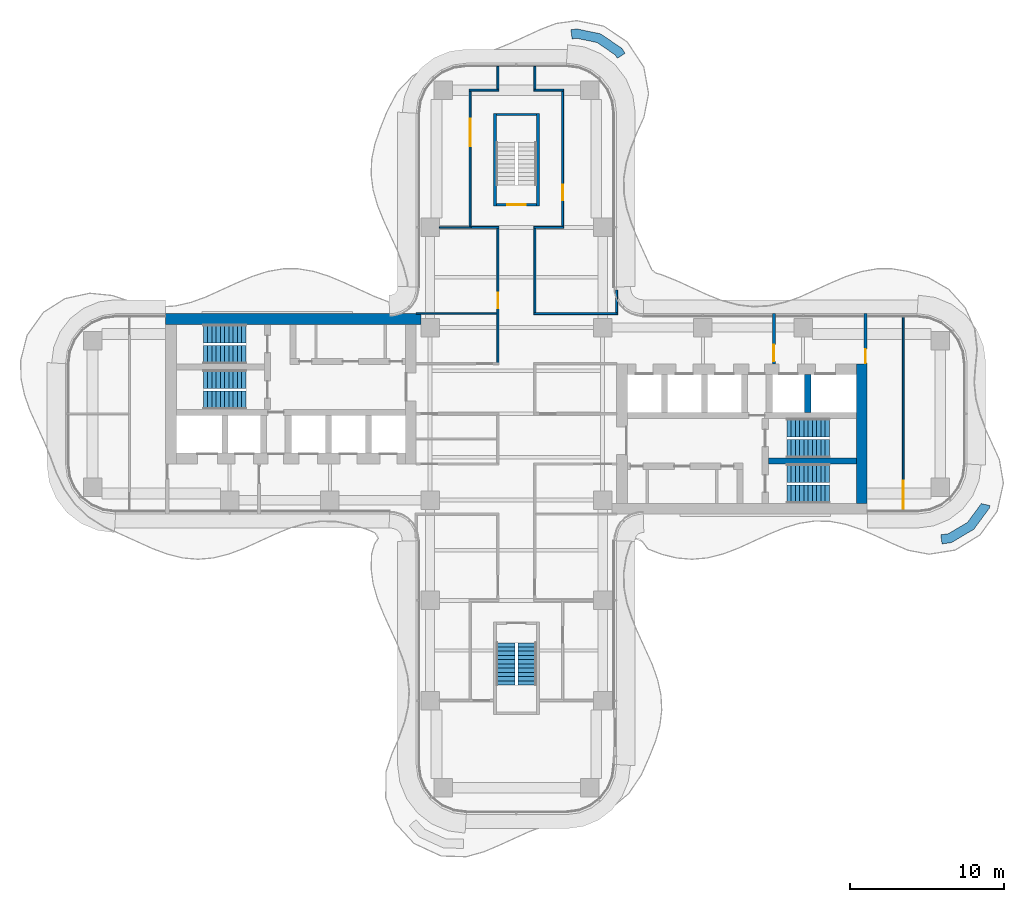
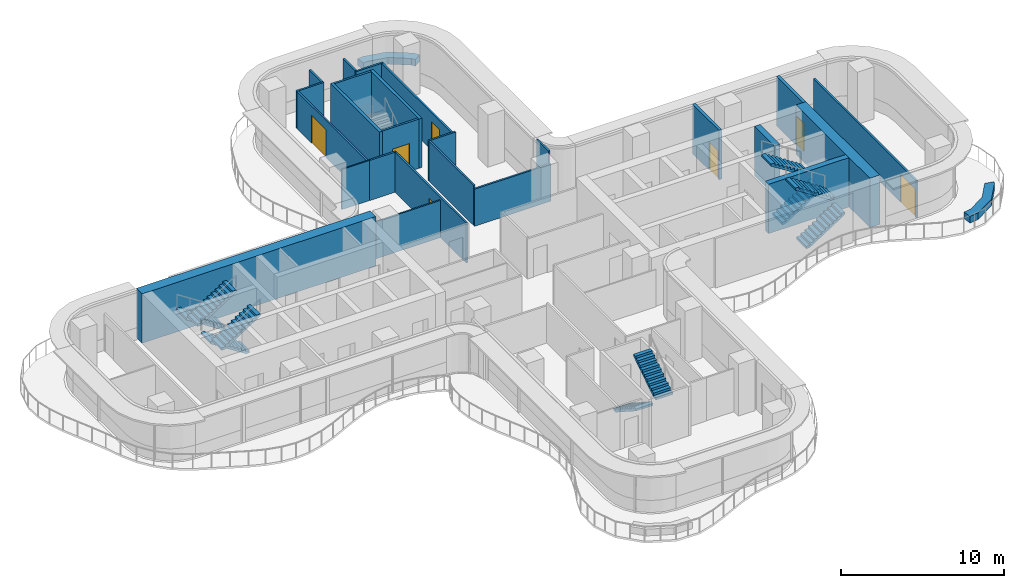
# One storey, part 16 of 19: 27 walls, 10 stair flights, 7 doors, 7 openings, 5 elements without a shape of their own.
"""IFC4 building model written with IfcOpenShell, lengths in metres."""

import ifcopenshell
import ifcopenshell.guid

model = None  # the IFC model being written
_history = None  # IfcOwnerHistory: only IFC2X3 demands one
_inside = {}  # id of a spatial element -> (the spatial element, [elements in it])
_under = {}  # id of a project, library or spatial element -> (it, [spatial elements below it])
_declared = {}  # id of a project -> (the project, [libraries it declares])
_typed = {}  # id of a type object -> (the type object, [elements of that type])
_made_of = {}  # id of a material, layer set ... -> (it, [elements and type objects made of it])


def new_model(schema):
    """Start an empty IFC model of exactly this schema.

    Asked for "IFC4X3", IfcOpenShell would pick the latest addendum, in which some entities
    have other attributes; the version numbers below select the first issue.
    IFC2X3 requires an IfcOwnerHistory on every rooted entity: one is made here for all.
    """
    global model, _history
    if schema == "IFC4X3":
        model = ifcopenshell.file(schema_version=(4, 3, 0, 0))
    else:
        model = ifcopenshell.file(schema=schema)
    _inside.clear()
    _under.clear()
    _declared.clear()
    _typed.clear()
    _made_of.clear()
    _history = None
    if model.schema == "IFC2X3":
        org = make("IfcOrganization", Name="unknown")
        user = make(
            "IfcPersonAndOrganization",
            ThePerson=make("IfcPerson", FamilyName="unknown"),
            TheOrganization=org,
        )
        app = make(
            "IfcApplication",
            ApplicationDeveloper=org,
            Version="unknown",
            ApplicationFullName="unknown",
            ApplicationIdentifier="unknown",
        )
        _history = make(
            "IfcOwnerHistory",
            OwningUser=user,
            OwningApplication=app,
            ChangeAction="ADDED",
            CreationDate=0,
        )
    return model


def make(cls, **values):
    """One entity of the class cls with the attributes given. An attribute that is None is left unset."""
    return model.create_entity(
        cls, **{name: value for name, value in values.items() if value is not None}
    )


def rooted(cls, **values):
    """An entity with a GlobalId (a new one), such as an element, a storey or a relation."""
    return make(cls, GlobalId=ifcopenshell.guid.new(), OwnerHistory=_history, **values)


def si_unit(unit_type, name, prefix=None):
    """IfcSIUnit, for example si_unit("LENGTHUNIT", "METRE", prefix="MILLI")."""
    return make("IfcSIUnit", UnitType=unit_type, Prefix=prefix, Name=name)


def assignment(units):
    """IfcUnitAssignment: the units of a project."""
    return None if units is None else make("IfcUnitAssignment", Units=units)


def point(xyz):
    """IfcCartesianPoint."""
    return None if xyz is None else make("IfcCartesianPoint", Coordinates=xyz)


def direction(xyz):
    """IfcDirection."""
    return None if xyz is None else make("IfcDirection", DirectionRatios=xyz)


def frame(location, z_axis=None, x_axis=None):
    """IfcAxis2Placement3D, a coordinate frame: its origin and axes. An axis left out is left unset."""
    return make(
        "IfcAxis2Placement3D",
        Location=point(location),
        Axis=direction(z_axis),
        RefDirection=direction(x_axis),
    )


def frame_2d(location, x_axis=None):
    """IfcAxis2Placement2D, a coordinate frame in the plane: its origin and x axis."""
    return make(
        "IfcAxis2Placement2D", Location=point(location), RefDirection=direction(x_axis)
    )


def origin():
    """The frame at (0, 0, 0) with its axes left unset."""
    return frame((0.0, 0.0, 0.0))


def place(relative_to, where):
    """IfcLocalPlacement: puts the frame where relative to a parent placement (None: the world)."""
    return make(
        "IfcLocalPlacement", PlacementRelTo=relative_to, RelativePlacement=where
    )


def context(
    kind, dimensions, precision=None, world=None, true_north=None, identifier=None
):
    """IfcGeometricRepresentationContext, for example the 3D "Model" context."""
    return make(
        "IfcGeometricRepresentationContext",
        ContextIdentifier=identifier,
        ContextType=kind,
        CoordinateSpaceDimension=dimensions,
        Precision=precision,
        WorldCoordinateSystem=world,
        TrueNorth=true_north,
    )


def subcontext(parent, identifier, kind, view, scale=None):
    """IfcGeometricRepresentationSubContext, for example "Body" below "Model"."""
    return make(
        "IfcGeometricRepresentationSubContext",
        ContextIdentifier=identifier,
        ContextType=kind,
        ParentContext=parent,
        TargetScale=scale,
        TargetView=view,
    )


def project(units=None, contexts=None):
    """IfcProject with its units and contexts."""
    return rooted(
        "IfcProject",
        Name="project",
        RepresentationContexts=contexts,
        UnitsInContext=assignment(units),
    )


def spatial(cls, under=None, at=None, **own):
    """A site, building, storey or space (cls), placed at a placement, below another one or the project."""
    s = rooted(cls, ObjectPlacement=at, **own)
    if under is not None:
        _under.setdefault(under.id(), (under, []))[1].append(s)
    return s


def polyline(points):
    """IfcPolyline through the points."""
    return make("IfcPolyline", Points=[point(p) for p in points])


def profile(cls, at=None, kind="AREA", **sizes):
    """A parametric profile (cls). Its sizes go by their IFC names, for example OverallWidth=200.0."""
    return make(cls, ProfileType=kind, Position=at, **sizes)


def rectangle(**sizes):
    """IfcRectangleProfileDef."""
    return profile("IfcRectangleProfileDef", **sizes)


def outline(outer, holes=None, kind="AREA"):
    """IfcArbitraryClosedProfileDef: a profile drawn as a closed curve; with holes, ...WithVoids."""
    if holes is None:
        return make("IfcArbitraryClosedProfileDef", ProfileType=kind, OuterCurve=outer)
    return make(
        "IfcArbitraryProfileDefWithVoids",
        ProfileType=kind,
        OuterCurve=outer,
        InnerCurves=holes,
    )


def extrude(swept, where, along, depth):
    """IfcExtrudedAreaSolid: the profile swept, set in the frame where, extruded along a direction by depth."""
    return make(
        "IfcExtrudedAreaSolid",
        SweptArea=swept,
        Position=where,
        ExtrudedDirection=direction(along),
        Depth=depth,
    )


def shape(context_of_items, identifier, shape_type, items):
    """IfcShapeRepresentation: the items that make up one representation, for example the "Body"."""
    return make(
        "IfcShapeRepresentation",
        ContextOfItems=context_of_items,
        RepresentationIdentifier=identifier,
        RepresentationType=shape_type,
        Items=items,
    )


def source(mapping_origin, context_of_items, identifier, shape_type, items):
    """IfcRepresentationMap: a shape defined once, which mapped items show again and again."""
    return make(
        "IfcRepresentationMap",
        MappingOrigin=mapping_origin,
        MappedRepresentation=shape(context_of_items, identifier, shape_type, items),
    )


def transform(
    local_origin,
    x_axis=None,
    y_axis=None,
    z_axis=None,
    scale=None,
    scale2=None,
    scale3=None,
    uniform=True,
):
    """IfcCartesianTransformationOperator3D, or its non-uniform kind. x_axis, y_axis, z_axis: its Axis1, 2, 3."""
    if uniform:
        return make(
            "IfcCartesianTransformationOperator3D",
            Axis1=direction(x_axis),
            Axis2=direction(y_axis),
            LocalOrigin=point(local_origin),
            Scale=scale,
            Axis3=direction(z_axis),
        )
    return make(
        "IfcCartesianTransformationOperator3DnonUniform",
        Axis1=direction(x_axis),
        Axis2=direction(y_axis),
        LocalOrigin=point(local_origin),
        Scale=scale,
        Axis3=direction(z_axis),
        Scale2=scale2,
        Scale3=scale3,
    )


def mapped(mapping_source, mapping_target):
    """IfcMappedItem: shows the shape of a source again, moved by a transform."""
    return make(
        "IfcMappedItem", MappingSource=mapping_source, MappingTarget=mapping_target
    )


def material(Name=None, Category=None):
    """IfcMaterial."""
    return make("IfcMaterial", Name=Name, Category=Category)


def layer(
    of_material, thickness, ventilated=None, Name=None, Category=None, Priority=None
):
    """IfcMaterialLayer: one layer of a wall or slab, of a material (None: an air gap)."""
    return make(
        "IfcMaterialLayer",
        Material=of_material,
        LayerThickness=thickness,
        IsVentilated=ventilated,
        Name=Name,
        Category=Category,
        Priority=Priority,
    )


def layer_set(layers, Name=None):
    """IfcMaterialLayerSet."""
    return make("IfcMaterialLayerSet", MaterialLayers=layers, LayerSetName=Name)


def made_of(thing, what):
    """Note that an element or type object is made of a material, layer set ...; save() writes the relation."""
    if what is not None:
        _made_of.setdefault(what.id(), (what, []))[1].append(thing)
    return thing


def type_object(cls, material=None, **own):
    """A type object (cls), such as IfcWallType, which elements share."""
    return made_of(rooted(cls, **own), material)


def element(
    cls,
    number,
    at=None,
    inside=None,
    cuts=None,
    type_object=None,
    material=None,
    context=None,
    identifier="Body",
    shape_type=None,
    held_by="IfcProductDefinitionShape",
    body=None,
    shapes=None,
    **own,
):
    """One element of the class cls, such as IfcWall. Its Tag is "e" and its number.

    at: its placement. inside: the storey or other place that contains it. cuts: it is an
    opening in that element (IfcRelVoidsElement). A single representation is given by context,
    identifier, shape_type and body (its items); several are given by shapes. held_by: the class
    of the entity that holds the representations. save() writes the other relations.
    """
    e = rooted(cls, Tag="e%d" % number, ObjectPlacement=at, **own)
    if body is not None:
        shapes = [shape(context, identifier, shape_type, body)]
    if shapes is not None:
        e.Representation = make(held_by, Representations=shapes)
    if inside is not None:
        _inside.setdefault(inside.id(), (inside, []))[1].append(e)
    if cuts is not None:
        rooted(
            "IfcRelVoidsElement", RelatingBuildingElement=cuts, RelatedOpeningElement=e
        )
    if type_object is not None:
        _typed.setdefault(type_object.id(), (type_object, []))[1].append(e)
    return made_of(e, material)


def fill(opening, filler):
    """IfcRelFillsElement: the door or window that sits in an opening."""
    return rooted(
        "IfcRelFillsElement",
        RelatingOpeningElement=opening,
        RelatedBuildingElement=filler,
    )


def aggregate(whole, parts):
    """IfcRelAggregates: a whole, such as a stair, and the parts it consists of."""
    return rooted("IfcRelAggregates", RelatingObject=whole, RelatedObjects=parts)


def save(model, path):
    """Write the relations noted so far, then the file.

    IfcRelAggregates (storeys below a building ...), IfcRelContainedInSpatialStructure (elements
    in a storey), IfcRelDefinesByType, IfcRelAssociatesMaterial and IfcRelDeclares: one each for
    every whole, place, type object, material and project.
    """
    for whole, parts in _under.values():
        aggregate(whole, parts)
    for where, things in _inside.values():
        rooted(
            "IfcRelContainedInSpatialStructure",
            RelatedElements=things,
            RelatingStructure=where,
        )
    for kind, things in _typed.values():
        rooted("IfcRelDefinesByType", RelatedObjects=things, RelatingType=kind)
    for what, things in _made_of.values():
        rooted("IfcRelAssociatesMaterial", RelatedObjects=things, RelatingMaterial=what)
    for by, libraries in _declared.values():
        rooted("IfcRelDeclares", RelatingContext=by, RelatedDefinitions=libraries)
    model.write(path)


model = new_model("IFC4")

# Units and contexts
model_context = context("Model", 3, precision=1e-05, world=origin(), true_north=direction((0.0, 1.0)))
body_context = subcontext(model_context, "Body", "Model", "MODEL_VIEW")
ifc_project = project(units=[si_unit("LENGTHUNIT", "METRE"), si_unit("AREAUNIT", "SQUARE_METRE"), si_unit("VOLUMEUNIT", "CUBIC_METRE"), si_unit("PLANEANGLEUNIT", "RADIAN"), si_unit("MASSUNIT", "GRAM", prefix="KILO")], contexts=[model_context])

# Site, building, storey
site_placement = place(None, origin())
site = spatial("IfcSite", under=ifc_project, at=site_placement, CompositionType="ELEMENT")
building_placement = place(site_placement, origin())
building = spatial("IfcBuilding", under=site, at=building_placement, Name="Trellis Farm Tower", CompositionType="ELEMENT")
storey_placement = place(building_placement, frame((0.0, 0.0, 197.10009765625)))
storey = spatial("IfcBuildingStorey", under=building, at=storey_placement, Name="L43", CompositionType="ELEMENT", Elevation=197.10009765625)

# Walls
ifc_material_1 = material(Name="Sandstone faced masonry planter", Category="masonry")
ifc_layer_1 = layer(ifc_material_1, 0.60009765625)
ifc_layer_set_1 = layer_set([ifc_layer_1], Name="PLANTER BED 600")
wall_type_1 = type_object("IfcWallType", Name="PLANTER BED 600", PredefinedType="USERDEFINED", material=ifc_layer_set_1)
placement = place(storey_placement, origin())
element("IfcWall", 1, at=placement, inside=storey, type_object=wall_type_1, Name="PLANTER bed", ObjectType="PLANTER", PredefinedType="USERDEFINED", context=body_context, shape_type="SweptSolid", body=[
    extrude(outline(polyline([(30.690673828125, -6.113525390625), (29.680419921875, -7.48779296875), (28.24072265625, -8.347412109375), (27.61669921875, -8.439453125), (27.529296875, -7.845947265625), (28.035400390625, -7.771240234375), (29.268798828125, -7.03466796875), (30.133056640625, -5.85888671875), (30.14208984375, -5.818359375), (30.7275390625, -5.95068359375), (30.690673828125, -6.113525390625)])), origin(), (0.0, 0.0, 1.0), 0.5),
])
element("IfcWall", 2, at=placement, inside=storey, type_object=wall_type_1, Name="PLANTER bed", ObjectType="PLANTER", PredefinedType="USERDEFINED", context=body_context, shape_type="SweptSolid", body=[
    extrude(outline(polyline([(5.467529296875, 24.6552734375), (6.841796875, 23.71728515625), (7.052001953125, 23.39599609375), (6.5498046875, 23.0673828125), (6.405029296875, 23.2890625), (5.228271484375, 24.092041015625), (3.907470703125, 24.366455078125), (3.615234375, 24.326416015625), (3.533935546875, 24.9208984375), (3.928466796875, 24.974853515625), (5.467529296875, 24.6552734375)])), origin(), (0.0, 0.0, 1.0), 0.5),
])
ifc_material_2 = material(Name="Concrete C70/85", Category="concrete")
ifc_layer_2 = layer(ifc_material_2, 0.699951171875)
ifc_layer_set_2 = layer_set([ifc_layer_2], Name="CORE OUTER WALL 700 CONCRETE C70/85")
wall_type_2 = type_object("IfcWallType", Name="CORE OUTER WALL 700 CONCRETE C70/85", PredefinedType="SHEAR", material=ifc_layer_set_2)
shared_shape_1 = source(origin(), body_context, "Body", "SweptSolid", [
    extrude(rectangle(XDim=9.050048828125, YDim=0.699951171875, at=frame_2d((4.52490234375, 0.0))), origin(), (0.0, 0.0, 1.0), 3.699951171875),
])
wall_3_placement = place(storey_placement, frame((22.39990234375, -5.800048828125, 0.0), z_axis=(0.0, 0.0, 1.0), x_axis=(0.0, 1.0, 0.0)))
element("IfcWall", 3, at=wall_3_placement, inside=storey, type_object=wall_type_2, Name="Core wall", PredefinedType="SHEAR", context=body_context, shape_type="MappedRepresentation", body=[
    mapped(shared_shape_1, transform((0.0, 0.0, 0.0))),
])
ifc_layer_3 = layer(ifc_material_2, 0.39990234375)
ifc_layer_set_3 = layer_set([ifc_layer_3], Name="CORE INNER WALL 400 CONCRETE C70/85")
wall_type_3 = type_object("IfcWallType", Name="CORE INNER WALL 400 CONCRETE C70/85", PredefinedType="SHEAR", material=ifc_layer_set_3)
shared_shape_2 = source(origin(), body_context, "Body", "SweptSolid", [
    extrude(rectangle(XDim=2.449951171875, YDim=0.39990234375, at=frame_2d((1.22509765625, 0.0))), origin(), (0.0, 0.0, 1.0), 3.699951171875),
])
wall_4_placement = place(storey_placement, frame((18.89990234375, 0.10009765625, 0.0), z_axis=(0.0, 0.0, 1.0), x_axis=(0.0, 1.0, 0.0)))
element("IfcWall", 4, at=wall_4_placement, inside=storey, type_object=wall_type_3, Name="Core wall", PredefinedType="SHEAR", context=body_context, shape_type="MappedRepresentation", body=[
    mapped(shared_shape_2, transform((0.0, 0.0, 0.0))),
])

# Wall, opening, door
ifc_material_3 = material(Name="Masonry blockwork", Category="masonry")
ifc_layer_4 = layer(ifc_material_3, 0.199951171875)
ifc_layer_set_4 = layer_set([ifc_layer_4], Name="FIRE LOBBY PARTITION 200 BLOCKWORK")
wall_type_4 = type_object("IfcWallType", Name="FIRE LOBBY PARTITION 200 BLOCKWORK", PredefinedType="PARTITIONING", material=ifc_layer_set_4)
shared_shape_3 = source(origin(), body_context, "Body", "SweptSolid", [
    extrude(rectangle(XDim=3.25, YDim=0.199951171875, at=frame_2d((1.625, 0.0))), origin(), (0.0, 0.0, 1.0), 3.699951171875),
])
wall_5_placement = place(storey_placement, frame((16.699951171875, 3.25, 0.0), z_axis=(0.0, 0.0, 1.0), x_axis=(0.0, 1.0, 0.0)))
wall_5 = element("IfcWall", 5, at=wall_5_placement, inside=storey, type_object=wall_type_4, Name="Fire-fighting lobby partition", PredefinedType="PARTITIONING", context=body_context, shape_type="MappedRepresentation", body=[
    mapped(shared_shape_3, transform((0.0, 0.0, 0.0))),
])
shared_shape_4 = source(origin(), body_context, "Body", "SweptSolid", [
    extrude(rectangle(XDim=1.10009765625, YDim=2.10009765625, at=frame_2d((0.550048828125, 1.050048828125))), frame((0.0, 0.110107421875, 0.0), z_axis=(0.0, -1.0, 0.0), x_axis=(1.0, 0.0, 0.0)), (0.0, 0.0, 1.0), 0.22021484375),
])
opening_1_placement = place(wall_5_placement, frame((0.14990234375, 0.0, 0.0)))
opening_1 = element("IfcOpeningElement", 6, at=opening_1_placement, cuts=wall_5, Name="Opening DC7", PredefinedType="OPENING", context=body_context, shape_type="MappedRepresentation", body=[
    mapped(shared_shape_4, transform((0.0, 0.0, 0.0))),
])
ifc_material_4 = material(Name="Steel", Category="steel")
door_type_1 = type_object("IfcDoorType", Name="CORE FIRE DOOR 1100 X 2100", OperationType="NOTDEFINED", PredefinedType="DOOR", material=ifc_material_4)
shared_shape_5 = source(origin(), body_context, "Body", "SweptSolid", [
    extrude(rectangle(XDim=1.10009765625, YDim=2.10009765625, at=frame_2d((0.550048828125, 1.050048828125))), frame((0.0, 0.02490234375, 0.0), z_axis=(0.0, -1.0, 0.0), x_axis=(1.0, 0.0, 0.0)), (0.0, 0.0, 1.0), 0.050048828125),
])
door_1_placement = place(opening_1_placement, origin())
door_1 = element("IfcDoor", 7, at=door_1_placement, inside=storey, type_object=door_type_1, Name="Core door", OperationType="SINGLE_SWING_RIGHT", OverallHeight=2.10009765625, OverallWidth=1.10009765625, PredefinedType="DOOR", context=body_context, shape_type="MappedRepresentation", body=[
    mapped(shared_shape_5, transform((0.0, 0.0, 0.0))),
])
fill(opening_1, door_1)

wall_6_placement = place(storey_placement, frame((22.64990234375, 3.25, 0.0), z_axis=(0.0, 0.0, 1.0), x_axis=(0.0, 1.0, 0.0)))
wall_6 = element("IfcWall", 8, at=wall_6_placement, inside=storey, type_object=wall_type_4, Name="Fire-fighting lobby partition", PredefinedType="PARTITIONING", context=body_context, shape_type="MappedRepresentation", body=[
    mapped(shared_shape_3, transform((0.0, 0.0, 0.0))),
])
shared_shape_6 = source(origin(), body_context, "Body", "SweptSolid", [
    extrude(rectangle(XDim=0.89990234375, YDim=2.10009765625, at=frame_2d((0.449951171875, 1.050048828125))), frame((0.0, 0.110107421875, 0.0), z_axis=(0.0, -1.0, 0.0), x_axis=(1.0, 0.0, 0.0)), (0.0, 0.0, 1.0), 0.22021484375),
])
opening_2_placement = place(wall_6_placement, frame((0.050048828125, 0.0, 0.0)))
opening_2 = element("IfcOpeningElement", 9, at=opening_2_placement, cuts=wall_6, Name="Opening DC8", PredefinedType="OPENING", context=body_context, shape_type="MappedRepresentation", body=[
    mapped(shared_shape_6, transform((0.0, 0.0, 0.0))),
])
door_type_2 = type_object("IfcDoorType", Name="CORE FIRE DOOR 900 X 2100", OperationType="NOTDEFINED", PredefinedType="DOOR", material=ifc_material_4)
shared_shape_7 = source(origin(), body_context, "Body", "SweptSolid", [
    extrude(rectangle(XDim=0.89990234375, YDim=2.10009765625, at=frame_2d((0.449951171875, 1.050048828125))), frame((0.0, 0.02490234375, 0.0), z_axis=(0.0, -1.0, 0.0), x_axis=(1.0, 0.0, 0.0)), (0.0, 0.0, 1.0), 0.050048828125),
])
door_2_placement = place(opening_2_placement, origin())
door_2 = element("IfcDoor", 10, at=door_2_placement, inside=storey, type_object=door_type_2, Name="Core door", OperationType="SINGLE_SWING_RIGHT", OverallHeight=2.10009765625, OverallWidth=0.89990234375, PredefinedType="DOOR", context=body_context, shape_type="MappedRepresentation", body=[
    mapped(shared_shape_7, transform((0.0, 0.0, 0.0))),
])
fill(opening_2, door_2)

# Walls
shared_shape_8 = source(origin(), body_context, "Body", "SweptSolid", [
    extrude(rectangle(XDim=16.550048828125, YDim=0.699951171875, at=frame_2d((8.27490234375, 0.0))), origin(), (0.0, 0.0, 1.0), 3.699951171875),
])
wall_7_placement = place(storey_placement, frame((-6.199951171875, 6.14990234375, 0.0), z_axis=(0.0, 0.0, 1.0), x_axis=(-1.0, 0.0, 0.0)))
element("IfcWall", 11, at=wall_7_placement, inside=storey, type_object=wall_type_2, Name="Core wall", PredefinedType="SHEAR", context=body_context, shape_type="MappedRepresentation", body=[
    mapped(shared_shape_8, transform((0.0, 0.0, 0.0))),
])
shared_shape_9 = source(origin(), body_context, "Body", "SweptSolid", [
    extrude(rectangle(XDim=5.699951171875, YDim=0.39990234375, at=frame_2d((2.85009765625, 0.0))), origin(), (0.0, 0.0, 1.0), 3.699951171875),
])
wall_8_placement = place(storey_placement, frame((16.35009765625, -3.050048828125, 0.0), z_axis=(0.0, 0.0, 1.0), x_axis=(1.0, 0.0, 0.0)))
element("IfcWall", 12, at=wall_8_placement, inside=storey, type_object=wall_type_3, Name="Core wall", PredefinedType="SHEAR", context=body_context, shape_type="MappedRepresentation", body=[
    mapped(shared_shape_9, transform((0.0, 0.0, 0.0))),
])
ifc_layer_5 = layer(ifc_material_2, 0.199951171875)
ifc_layer_set_5 = layer_set([ifc_layer_5], Name="CORE STAIR ENCLOSURE WALL 200 CONCRETE C70/85")
wall_type_5 = type_object("IfcWallType", Name="CORE STAIR ENCLOSURE WALL 200 CONCRETE C70/85", PredefinedType="SHEAR", material=ifc_layer_set_5)
shared_shape_10 = source(origin(), body_context, "Body", "SweptSolid", [
    extrude(rectangle(XDim=6.0, YDim=0.199951171875, at=frame_2d((3.0, 0.0))), origin(), (0.0, 0.0, 1.0), 3.699951171875),
])
for number, where, z_axis, x_axis, name in (
    (13, (-1.39990234375, 13.5, 0.0), (0.0, 0.0, 1.0), (0.0, 1.0, 0.0), "Stair enclosure wall"),
    (14, (1.39990234375, 13.5, 0.0), (0.0, 0.0, 1.0), (0.0, 1.0, 0.0), "Stair enclosure wall"),
):
    element("IfcWall", number, at=place(storey_placement, frame(where, z_axis=z_axis, x_axis=x_axis)), inside=storey, type_object=wall_type_5, Name=name, PredefinedType="SHEAR", context=body_context, shape_type="MappedRepresentation", body=[
        mapped(shared_shape_10, transform((0.0, 0.0, 0.0))),
    ])

# Wall, opening, door
ifc_layer_6 = layer(ifc_material_2, 0.14990234375)
ifc_layer_set_6 = layer_set([ifc_layer_6], Name="CORE STAIR ENCLOSURE WALL 150 CONCRETE C70/85")
wall_type_6 = type_object("IfcWallType", Name="CORE STAIR ENCLOSURE WALL 150 CONCRETE C70/85", PredefinedType="SHEAR", material=ifc_layer_set_6)
shared_shape_11 = source(origin(), body_context, "Body", "SweptSolid", [
    extrude(rectangle(XDim=2.60009765625, YDim=0.14990234375, at=frame_2d((1.300048828125, 0.0))), origin(), (0.0, 0.0, 1.0), 3.699951171875),
])
wall_9_placement = place(storey_placement, frame((-1.300048828125, 13.574951171875, 0.0), z_axis=(0.0, 0.0, 1.0), x_axis=(1.0, 0.0, 0.0)))
wall_9 = element("IfcWall", 15, at=wall_9_placement, inside=storey, type_object=wall_type_6, Name="Stair enclosure wall", PredefinedType="SHEAR", context=body_context, shape_type="MappedRepresentation", body=[
    mapped(shared_shape_11, transform((0.0, 0.0, 0.0))),
])
shared_shape_12 = source(origin(), body_context, "Body", "SweptSolid", [
    extrude(rectangle(XDim=1.199951171875, YDim=2.10009765625, at=frame_2d((0.60009765625, 1.050048828125))), frame((0.0, 0.0849609375, 0.0), z_axis=(0.0, -1.0, 0.0), x_axis=(1.0, 0.0, 0.0)), (0.0, 0.0, 1.0), 0.169921875),
])
opening_3_placement = place(wall_9_placement, frame((0.699951171875, 0.0, 0.0)))
opening_3 = element("IfcOpeningElement", 16, at=opening_3_placement, cuts=wall_9, Name="Opening DC173", PredefinedType="OPENING", context=body_context, shape_type="MappedRepresentation", body=[
    mapped(shared_shape_12, transform((0.0, 0.0, 0.0))),
])
door_type_3 = type_object("IfcDoorType", Name="CORE FIRE DOOR 1200 X 2100", OperationType="NOTDEFINED", PredefinedType="DOOR", material=ifc_material_4)
shared_shape_13 = source(origin(), body_context, "Body", "SweptSolid", [
    extrude(rectangle(XDim=1.199951171875, YDim=2.10009765625, at=frame_2d((0.60009765625, 1.050048828125))), frame((0.0, 0.02490234375, 0.0), z_axis=(0.0, -1.0, 0.0), x_axis=(1.0, 0.0, 0.0)), (0.0, 0.0, 1.0), 0.050048828125),
])
door_3_placement = place(opening_3_placement, origin())
door_3 = element("IfcDoor", 17, at=door_3_placement, inside=storey, type_object=door_type_3, Name="Core door", OperationType="SINGLE_SWING_LEFT", OverallHeight=2.10009765625, OverallWidth=1.199951171875, PredefinedType="DOOR", context=body_context, shape_type="MappedRepresentation", body=[
    mapped(shared_shape_13, transform((0.0, 0.0, 0.0))),
])
fill(opening_3, door_3)

# Walls
wall_10_placement = place(storey_placement, frame((-1.300048828125, 19.425048828125, 0.0), z_axis=(0.0, 0.0, 1.0), x_axis=(1.0, 0.0, 0.0)))
element("IfcWall", 18, at=wall_10_placement, inside=storey, type_object=wall_type_6, Name="Stair enclosure wall", PredefinedType="SHEAR", context=body_context, shape_type="MappedRepresentation", body=[
    mapped(shared_shape_11, transform((0.0, 0.0, 0.0))),
])
ifc_material_5 = material(Name="Plasterboard on steel studs, mineral wool", Category="steel")
ifc_layer_7 = layer(ifc_material_5, 0.125)
ifc_layer_set_7 = layer_set([ifc_layer_7], Name="PARTITION 125 STUD EI 60")
wall_type_7 = type_object("IfcWallType", Name="PARTITION 125 STUD EI 60", PredefinedType="PARTITIONING", material=ifc_layer_set_7)
shared_shape_14 = source(origin(), body_context, "Body", "SweptSolid", [
    extrude(rectangle(XDim=5.47509765625, YDim=0.125, at=frame_2d((2.737548828125, 0.0))), origin(), (0.0, 0.0, 1.0), 2.99658203125),
])
wall_11_placement = place(storey_placement, frame((1.199951171875, 12.03759765625, 0.0), z_axis=(0.0, 0.0, 1.0), x_axis=(0.0, -1.0, 0.0)))
element("IfcWall", 19, at=wall_11_placement, inside=storey, type_object=wall_type_7, Name="Partition PW1", PredefinedType="PARTITIONING", context=body_context, shape_type="MappedRepresentation", body=[
    mapped(shared_shape_14, transform((0.0, 0.0, 0.0))),
])
shared_shape_15 = source(origin(), body_context, "Body", "SweptSolid", [
    extrude(rectangle(XDim=1.468994140625, YDim=0.125, at=frame_2d((0.734375, 0.0))), origin(), (0.0, 0.0, 1.0), 3.699951171875),
])
wall_12_placement = place(storey_placement, frame((6.5, 6.5625, 0.0), z_axis=(0.0, 0.0, 1.0), x_axis=(0.0, 1.0, 0.0)))
element("IfcWall", 20, at=wall_12_placement, inside=storey, type_object=wall_type_7, Name="Partition PW1", PredefinedType="PARTITIONING", context=body_context, shape_type="MappedRepresentation", body=[
    mapped(shared_shape_15, transform((0.0, 0.0, 0.0))),
])
ifc_material_6 = material(Name="Plasterboard on steel studs", Category="steel")
ifc_layer_8 = layer(ifc_material_6, 0.10009765625)
ifc_layer_set_8 = layer_set([ifc_layer_8], Name="PARTITION 100 STUD EI 30")
wall_type_8 = type_object("IfcWallType", Name="PARTITION 100 STUD EI 30", PredefinedType="PARTITIONING", material=ifc_layer_set_8)
shared_shape_16 = source(origin(), body_context, "Body", "SweptSolid", [
    extrude(rectangle(XDim=2.0625, YDim=0.10009765625, at=frame_2d((1.03125, 0.0))), origin(), (0.0, 0.0, 1.0), 2.99658203125),
])
wall_13_placement = place(storey_placement, frame((-5.0, 12.10009765625, 0.0), z_axis=(0.0, 0.0, 1.0), x_axis=(1.0, 0.0, 0.0)))
element("IfcWall", 21, at=wall_13_placement, inside=storey, type_object=wall_type_8, Name="Partition PW2", PredefinedType="PARTITIONING", context=body_context, shape_type="MappedRepresentation", body=[
    mapped(shared_shape_16, transform((0.0, 0.0, 0.0))),
])

# Wall, opening, door
shared_shape_17 = source(origin(), body_context, "Body", "SweptSolid", [
    extrude(rectangle(XDim=8.72509765625, YDim=0.125, at=frame_2d((4.362548828125, 0.0))), origin(), (0.0, 0.0, 1.0), 2.99658203125),
])
wall_14_placement = place(storey_placement, frame((-1.199951171875, 12.03759765625, 0.0), z_axis=(0.0, 0.0, 1.0), x_axis=(0.0, -1.0, 0.0)))
wall_14 = element("IfcWall", 22, at=wall_14_placement, inside=storey, type_object=wall_type_7, Name="Partition PW1", PredefinedType="PARTITIONING", context=body_context, shape_type="MappedRepresentation", body=[
    mapped(shared_shape_17, transform((0.0, 0.0, 0.0))),
])
shared_shape_18 = source(origin(), body_context, "Body", "SweptSolid", [
    extrude(rectangle(XDim=1.0, YDim=2.10009765625, at=frame_2d((0.5, 1.050048828125))), frame((0.0, 0.072509765625, 0.0), z_axis=(0.0, -1.0, 0.0), x_axis=(1.0, 0.0, 0.0)), (0.0, 0.0, 1.0), 0.14501953125),
])
opening_4_placement = place(wall_14_placement, frame((4.1875, 0.0, 0.0)))
opening_4 = element("IfcOpeningElement", 23, at=opening_4_placement, cuts=wall_14, Name="Opening D110", PredefinedType="OPENING", context=body_context, shape_type="MappedRepresentation", body=[
    mapped(shared_shape_18, transform((0.0, 0.0, 0.0))),
])
ifc_material_7 = material(Name="Fire-rated timber door leaf in a hollow metal frame", Category="wood")
door_type_4 = type_object("IfcDoorType", Name="DOOR 1000x2100 FD30S", OperationType="NOTDEFINED", PredefinedType="DOOR", material=ifc_material_7)
shared_shape_19 = source(origin(), body_context, "Body", "SweptSolid", [
    extrude(rectangle(XDim=1.0, YDim=2.10009765625, at=frame_2d((0.5, 1.050048828125))), frame((0.0, 0.02490234375, 0.0), z_axis=(0.0, -1.0, 0.0), x_axis=(1.0, 0.0, 0.0)), (0.0, 0.0, 1.0), 0.050048828125),
])
door_4_placement = place(opening_4_placement, origin())
door_4 = element("IfcDoor", 24, at=door_4_placement, inside=storey, type_object=door_type_4, Name="Door D110", OperationType="SINGLE_SWING_RIGHT", OverallHeight=2.10009765625, OverallWidth=1.0, PredefinedType="DOOR", context=body_context, shape_type="MappedRepresentation", body=[
    mapped(shared_shape_19, transform((0.0, 0.0, 0.0))),
])
fill(opening_4, door_4)

# Walls
shared_shape_20 = source(origin(), body_context, "Body", "SweptSolid", [
    extrude(rectangle(XDim=1.925048828125, YDim=0.125, at=frame_2d((0.96240234375, 0.0))), origin(), (0.0, 0.0, 1.0), 2.99658203125),
])
for number, where, z_axis, x_axis, name in (
    (25, (-1.137451171875, 12.10009765625, 0.0), (0.0, 0.0, 1.0), (-1.0, 0.0, 0.0), "Partition PW1"),
    (26, (3.0625, 12.10009765625, 0.0), (0.0, 0.0, 1.0), (-1.0, 0.0, 0.0), "Partition PW1"),
):
    element("IfcWall", number, at=place(storey_placement, frame(where, z_axis=z_axis, x_axis=x_axis)), inside=storey, type_object=wall_type_7, Name=name, PredefinedType="PARTITIONING", context=body_context, shape_type="MappedRepresentation", body=[
        mapped(shared_shape_20, transform((0.0, 0.0, 0.0))),
    ])

# Wall, opening, door
shared_shape_21 = source(origin(), body_context, "Body", "SweptSolid", [
    extrude(rectangle(XDim=12.60009765625, YDim=0.125, at=frame_2d((6.300048828125, 0.0))), origin(), (0.0, 0.0, 1.0), 2.77978515625),
])
wall_15_placement = place(storey_placement, frame((25.10009765625, 6.300048828125, 0.0), z_axis=(0.0, 0.0, 1.0), x_axis=(0.0, -1.0, 0.0)))
wall_15 = element("IfcWall", 27, at=wall_15_placement, inside=storey, type_object=wall_type_7, Name="Partition PW1", PredefinedType="PARTITIONING", context=body_context, shape_type="MappedRepresentation", body=[
    mapped(shared_shape_21, transform((0.0, 0.0, 0.0))),
])
shared_shape_22 = source(origin(), body_context, "Body", "SweptSolid", [
    extrude(rectangle(XDim=1.800048828125, YDim=2.10009765625, at=frame_2d((0.89990234375, 1.050048828125))), frame((0.0, 0.072509765625, 0.0), z_axis=(0.0, -1.0, 0.0), x_axis=(1.0, 0.0, 0.0)), (0.0, 0.0, 1.0), 0.14501953125),
])
opening_5_placement = place(wall_15_placement, frame((10.64990234375, 0.0, 0.0)))
opening_5 = element("IfcOpeningElement", 28, at=opening_5_placement, cuts=wall_15, Name="Opening D201", PredefinedType="OPENING", context=body_context, shape_type="MappedRepresentation", body=[
    mapped(shared_shape_22, transform((0.0, 0.0, 0.0))),
])
door_type_5 = type_object("IfcDoorType", Name="DOOR PAIR 1800x2100 FD30S", OperationType="NOTDEFINED", PredefinedType="DOOR", material=ifc_material_7)
shared_shape_23 = source(origin(), body_context, "Body", "SweptSolid", [
    extrude(rectangle(XDim=1.800048828125, YDim=2.10009765625, at=frame_2d((0.89990234375, 1.050048828125))), frame((0.0, 0.02490234375, 0.0), z_axis=(0.0, -1.0, 0.0), x_axis=(1.0, 0.0, 0.0)), (0.0, 0.0, 1.0), 0.050048828125),
])
door_5_placement = place(opening_5_placement, origin())
door_5 = element("IfcDoor", 29, at=door_5_placement, inside=storey, type_object=door_type_5, Name="Door D201", OperationType="DOUBLE_DOOR_SINGLE_SWING", OverallHeight=2.10009765625, OverallWidth=1.800048828125, PredefinedType="DOOR", context=body_context, shape_type="MappedRepresentation", body=[
    mapped(shared_shape_23, transform((0.0, 0.0, 0.0))),
])
fill(opening_5, door_5)

# Walls
shared_shape_24 = source(origin(), body_context, "Body", "SweptSolid", [
    extrude(rectangle(XDim=5.425048828125, YDim=0.125, at=frame_2d((2.71240234375, 0.0))), origin(), (0.0, 0.0, 1.0), 2.77978515625),
])
wall_16_placement = place(storey_placement, frame((1.137451171875, 6.5, 0.0), z_axis=(0.0, 0.0, 1.0), x_axis=(1.0, 0.0, 0.0)))
element("IfcWall", 30, at=wall_16_placement, inside=storey, type_object=wall_type_7, Name="Partition PW1", PredefinedType="PARTITIONING", context=body_context, shape_type="MappedRepresentation", body=[
    mapped(shared_shape_24, transform((0.0, 0.0, 0.0))),
])
shared_shape_25 = source(origin(), body_context, "Body", "SweptSolid", [
    extrude(rectangle(XDim=1.487548828125, YDim=0.125, at=frame_2d((0.74365234375, 0.0))), origin(), (0.0, 0.0, 1.0), 2.77978515625),
])
for number, where, z_axis, x_axis, name in (
    (31, (-1.199951171875, 22.550048828125, 0.0), (0.0, 0.0, 1.0), (0.0, -1.0, 0.0), "Partition PW1"),
    (32, (1.199951171875, 22.550048828125, 0.0), (0.0, 0.0, 1.0), (0.0, -1.0, 0.0), "Partition PW1"),
):
    element("IfcWall", number, at=place(storey_placement, frame(where, z_axis=z_axis, x_axis=x_axis)), inside=storey, type_object=wall_type_7, Name=name, PredefinedType="PARTITIONING", context=body_context, shape_type="MappedRepresentation", body=[
        mapped(shared_shape_25, transform((0.0, 0.0, 0.0))),
    ])
shared_shape_26 = source(origin(), body_context, "Body", "SweptSolid", [
    extrude(rectangle(XDim=5.237548828125, YDim=0.10009765625, at=frame_2d((2.61865234375, 0.0))), origin(), (0.0, 0.0, 1.0), 2.77978515625),
])
wall_17_placement = place(storey_placement, frame((-6.5, 6.5, 0.0), z_axis=(0.0, 0.0, 1.0), x_axis=(1.0, 0.0, 0.0)))
element("IfcWall", 33, at=wall_17_placement, inside=storey, type_object=wall_type_8, Name="Partition PW2", PredefinedType="PARTITIONING", context=body_context, shape_type="MappedRepresentation", body=[
    mapped(shared_shape_26, transform((0.0, 0.0, 0.0))),
])
shared_shape_27 = source(origin(), body_context, "Body", "SweptSolid", [
    extrude(rectangle(XDim=1.925048828125, YDim=0.125, at=frame_2d((0.96240234375, 0.0))), origin(), (0.0, 0.0, 1.0), 2.77978515625),
])
for number, where, z_axis, x_axis, name in (
    (34, (-3.0625, 21.0, 0.0), (0.0, 0.0, 1.0), (1.0, 0.0, 0.0), "Partition PW1"),
    (35, (1.137451171875, 21.0, 0.0), (0.0, 0.0, 1.0), (1.0, 0.0, 0.0), "Partition PW1"),
):
    element("IfcWall", number, at=place(storey_placement, frame(where, z_axis=z_axis, x_axis=x_axis)), inside=storey, type_object=wall_type_7, Name=name, PredefinedType="PARTITIONING", context=body_context, shape_type="MappedRepresentation", body=[
        mapped(shared_shape_27, transform((0.0, 0.0, 0.0))),
    ])

# Wall, opening, door
shared_shape_28 = source(origin(), body_context, "Body", "SweptSolid", [
    extrude(rectangle(XDim=8.77490234375, YDim=0.125, at=frame_2d((4.387451171875, 0.0))), origin(), (0.0, 0.0, 1.0), 2.77978515625),
])
wall_18_placement = place(storey_placement, frame((3.0, 20.9375, 0.0), z_axis=(0.0, 0.0, 1.0), x_axis=(0.0, -1.0, 0.0)))
wall_18 = element("IfcWall", 36, at=wall_18_placement, inside=storey, type_object=wall_type_7, Name="Partition PW1", PredefinedType="PARTITIONING", context=body_context, shape_type="MappedRepresentation", body=[
    mapped(shared_shape_28, transform((0.0, 0.0, 0.0))),
])
opening_6_placement = place(wall_18_placement, frame((6.08740234375, 0.0, 0.0)))
opening_6 = element("IfcOpeningElement", 37, at=opening_6_placement, cuts=wall_18, Name="Opening D111", PredefinedType="OPENING", context=body_context, shape_type="MappedRepresentation", body=[
    mapped(shared_shape_18, transform((0.0, 0.0, 0.0))),
])
door_6_placement = place(opening_6_placement, origin())
door_6 = element("IfcDoor", 38, at=door_6_placement, inside=storey, type_object=door_type_4, Name="Door D111", OperationType="SINGLE_SWING_RIGHT", OverallHeight=2.10009765625, OverallWidth=1.0, PredefinedType="DOOR", context=body_context, shape_type="MappedRepresentation", body=[
    mapped(shared_shape_19, transform((0.0, 0.0, 0.0))),
])
fill(opening_6, door_6)

shared_shape_29 = source(origin(), body_context, "Body", "SweptSolid", [
    extrude(rectangle(XDim=8.78759765625, YDim=0.125, at=frame_2d((4.393798828125, 0.0))), origin(), (0.0, 0.0, 1.0), 2.77978515625),
])
wall_19_placement = place(storey_placement, frame((-3.0, 12.14990234375, 0.0), z_axis=(0.0, 0.0, 1.0), x_axis=(0.0, 1.0, 0.0)))
wall_19 = element("IfcWall", 39, at=wall_19_placement, inside=storey, type_object=wall_type_7, Name="Partition PW1", PredefinedType="PARTITIONING", context=body_context, shape_type="MappedRepresentation", body=[
    mapped(shared_shape_29, transform((0.0, 0.0, 0.0))),
])
opening_7_placement = place(wall_19_placement, frame((5.199951171875, 0.0, 0.0)))
opening_7 = element("IfcOpeningElement", 40, at=opening_7_placement, cuts=wall_19, Name="Opening D202", PredefinedType="OPENING", context=body_context, shape_type="MappedRepresentation", body=[
    mapped(shared_shape_22, transform((0.0, 0.0, 0.0))),
])
door_7_placement = place(opening_7_placement, origin())
door_7 = element("IfcDoor", 41, at=door_7_placement, inside=storey, type_object=door_type_5, Name="Door D202", OperationType="DOUBLE_DOOR_SINGLE_SWING", OverallHeight=2.10009765625, OverallWidth=1.800048828125, PredefinedType="DOOR", context=body_context, shape_type="MappedRepresentation", body=[
    mapped(shared_shape_23, transform((0.0, 0.0, 0.0))),
])
fill(opening_7, door_7)

# Stair, stair flights
ifc_material_8 = material(Name="Concrete C50/60", Category="concrete")
stair_type = type_object("IfcStairType", Name="CORE EXIT STAIR 22 RISERS 177 MM", PredefinedType="HALF_TURN_STAIR", material=ifc_material_8)
stair_1 = element("IfcStair", 42, at=placement, inside=storey, type_object=stair_type, Name="Exit stair S", PredefinedType="HALF_TURN_STAIR")
stair_flight_type = type_object("IfcStairFlightType", Name="STAIR FLIGHT 11 RISERS 177 MM", PredefinedType="STRAIGHT", material=ifc_material_8)
shared_shape_30 = source(origin(), body_context, "Body", "SweptSolid", [
    extrude(outline(polyline([(0.0, 0.0), (0.0, 0.17724609375), (0.27490234375, 0.17724609375), (0.27490234375, 0.3544921875), (0.550048828125, 0.3544921875), (0.550048828125, 0.53173828125), (0.824951171875, 0.53173828125), (0.824951171875, 0.708984375), (1.10009765625, 0.708984375), (1.10009765625, 0.886474609375), (1.375, 0.886474609375), (1.375, 1.063720703125), (1.64990234375, 1.063720703125), (1.64990234375, 1.240966796875), (1.925048828125, 1.240966796875), (1.925048828125, 1.418212890625), (2.199951171875, 1.418212890625), (2.199951171875, 1.595458984375), (2.47509765625, 1.595458984375), (2.47509765625, 1.772705078125), (2.75, 1.772705078125), (2.75, 1.949951171875), (2.75, 1.6181640625), (0.23974609375, 0.0), (0.0, 0.0)])), frame((0.0, 0.60009765625, 0.0), z_axis=(0.0, -1.0, 0.0), x_axis=(1.0, 0.0, 0.0)), (0.0, 0.0, 1.0), 1.199951171875),
])
stair_flight_1_placement = place(storey_placement, frame((-0.699951171875, -14.85009765625, 0.0), z_axis=(0.0, 0.0, 1.0), x_axis=(0.0, -1.0, 0.0)))
stair_flight_1 = element("IfcStairFlight", 43, at=stair_flight_1_placement, type_object=stair_flight_type, Name="STS flight 1", NumberOfRisers=11, NumberOfTreads=10, PredefinedType="STRAIGHT", RiserHeight=0.177272727, TreadLength=0.275, context=body_context, shape_type="MappedRepresentation", body=[
    mapped(shared_shape_30, transform((0.0, 0.0, 0.0))),
])
stair_flight_2_placement = place(storey_placement, frame((0.699951171875, -17.60009765625, 1.949951171875), z_axis=(0.0, 0.0, 1.0), x_axis=(0.0, 1.0, 0.0)))
stair_flight_2 = element("IfcStairFlight", 44, at=stair_flight_2_placement, type_object=stair_flight_type, Name="STS flight 2", NumberOfRisers=11, NumberOfTreads=10, PredefinedType="STRAIGHT", RiserHeight=0.177272727, TreadLength=0.275, context=body_context, shape_type="MappedRepresentation", body=[
    mapped(shared_shape_30, transform((0.0, 0.0, 0.0))),
])
aggregate(stair_1, [stair_flight_1, stair_flight_2])

stair_2 = element("IfcStair", 45, at=placement, inside=storey, type_object=stair_type, Name="Exit stair E1", PredefinedType="HALF_TURN_STAIR")
stair_flight_3_placement = place(storey_placement, frame((17.550048828125, -5.199951171875, 0.0), z_axis=(0.0, 0.0, 1.0), x_axis=(1.0, 0.0, 0.0)))
stair_flight_3 = element("IfcStairFlight", 46, at=stair_flight_3_placement, type_object=stair_flight_type, Name="STE1 flight 1", NumberOfRisers=11, NumberOfTreads=10, PredefinedType="STRAIGHT", RiserHeight=0.177272727, TreadLength=0.275, context=body_context, shape_type="MappedRepresentation", body=[
    mapped(shared_shape_30, transform((0.0, 0.0, 0.0))),
])
stair_flight_4_placement = place(storey_placement, frame((20.300048828125, -3.85009765625, 1.949951171875), z_axis=(0.0, 0.0, 1.0), x_axis=(-1.0, 0.0, 0.0)))
stair_flight_4 = element("IfcStairFlight", 47, at=stair_flight_4_placement, type_object=stair_flight_type, Name="STE1 flight 2", NumberOfRisers=11, NumberOfTreads=10, PredefinedType="STRAIGHT", RiserHeight=0.177272727, TreadLength=0.275, context=body_context, shape_type="MappedRepresentation", body=[
    mapped(shared_shape_30, transform((0.0, 0.0, 0.0))),
])
aggregate(stair_2, [stair_flight_3, stair_flight_4])

stair_3 = element("IfcStair", 48, at=placement, inside=storey, type_object=stair_type, Name="Exit stair E2", PredefinedType="HALF_TURN_STAIR")
stair_flight_5_placement = place(storey_placement, frame((17.550048828125, -2.25, 0.0), z_axis=(0.0, 0.0, 1.0), x_axis=(1.0, 0.0, 0.0)))
stair_flight_5 = element("IfcStairFlight", 49, at=stair_flight_5_placement, type_object=stair_flight_type, Name="STE2 flight 1", NumberOfRisers=11, NumberOfTreads=10, PredefinedType="STRAIGHT", RiserHeight=0.177272727, TreadLength=0.275, context=body_context, shape_type="MappedRepresentation", body=[
    mapped(shared_shape_30, transform((0.0, 0.0, 0.0))),
])
stair_flight_6_placement = place(storey_placement, frame((20.300048828125, -0.89990234375, 1.949951171875), z_axis=(0.0, 0.0, 1.0), x_axis=(-1.0, 0.0, 0.0)))
stair_flight_6 = element("IfcStairFlight", 50, at=stair_flight_6_placement, type_object=stair_flight_type, Name="STE2 flight 2", NumberOfRisers=11, NumberOfTreads=10, PredefinedType="STRAIGHT", RiserHeight=0.177272727, TreadLength=0.275, context=body_context, shape_type="MappedRepresentation", body=[
    mapped(shared_shape_30, transform((0.0, 0.0, 0.0))),
])
aggregate(stair_3, [stair_flight_5, stair_flight_6])

stair_4 = element("IfcStair", 51, at=placement, inside=storey, type_object=stair_type, Name="Exit stair W1", PredefinedType="HALF_TURN_STAIR")
stair_flight_7_placement = place(storey_placement, frame((-17.550048828125, 5.199951171875, 0.0), z_axis=(0.0, 0.0, 1.0), x_axis=(-1.0, 0.0, 0.0)))
stair_flight_7 = element("IfcStairFlight", 52, at=stair_flight_7_placement, type_object=stair_flight_type, Name="STW1 flight 1", NumberOfRisers=11, NumberOfTreads=10, PredefinedType="STRAIGHT", RiserHeight=0.177272727, TreadLength=0.275, context=body_context, shape_type="MappedRepresentation", body=[
    mapped(shared_shape_30, transform((0.0, 0.0, 0.0))),
])
stair_flight_8_placement = place(storey_placement, frame((-20.300048828125, 3.85009765625, 1.949951171875), z_axis=(0.0, 0.0, 1.0), x_axis=(1.0, 0.0, 0.0)))
stair_flight_8 = element("IfcStairFlight", 53, at=stair_flight_8_placement, type_object=stair_flight_type, Name="STW1 flight 2", NumberOfRisers=11, NumberOfTreads=10, PredefinedType="STRAIGHT", RiserHeight=0.177272727, TreadLength=0.275, context=body_context, shape_type="MappedRepresentation", body=[
    mapped(shared_shape_30, transform((0.0, 0.0, 0.0))),
])
aggregate(stair_4, [stair_flight_7, stair_flight_8])

stair_5 = element("IfcStair", 54, at=placement, inside=storey, type_object=stair_type, Name="Exit stair W2", PredefinedType="HALF_TURN_STAIR")
stair_flight_9_placement = place(storey_placement, frame((-17.550048828125, 2.25, 0.0), z_axis=(0.0, 0.0, 1.0), x_axis=(-1.0, 0.0, 0.0)))
stair_flight_9 = element("IfcStairFlight", 55, at=stair_flight_9_placement, type_object=stair_flight_type, Name="STW2 flight 1", NumberOfRisers=11, NumberOfTreads=10, PredefinedType="STRAIGHT", RiserHeight=0.177272727, TreadLength=0.275, context=body_context, shape_type="MappedRepresentation", body=[
    mapped(shared_shape_30, transform((0.0, 0.0, 0.0))),
])
stair_flight_10_placement = place(storey_placement, frame((-20.300048828125, 0.89990234375, 1.949951171875), z_axis=(0.0, 0.0, 1.0), x_axis=(1.0, 0.0, 0.0)))
stair_flight_10 = element("IfcStairFlight", 56, at=stair_flight_10_placement, type_object=stair_flight_type, Name="STW2 flight 2", NumberOfRisers=11, NumberOfTreads=10, PredefinedType="STRAIGHT", RiserHeight=0.177272727, TreadLength=0.275, context=body_context, shape_type="MappedRepresentation", body=[
    mapped(shared_shape_30, transform((0.0, 0.0, 0.0))),
])
aggregate(stair_5, [stair_flight_9, stair_flight_10])

save(model, "model.ifc")
